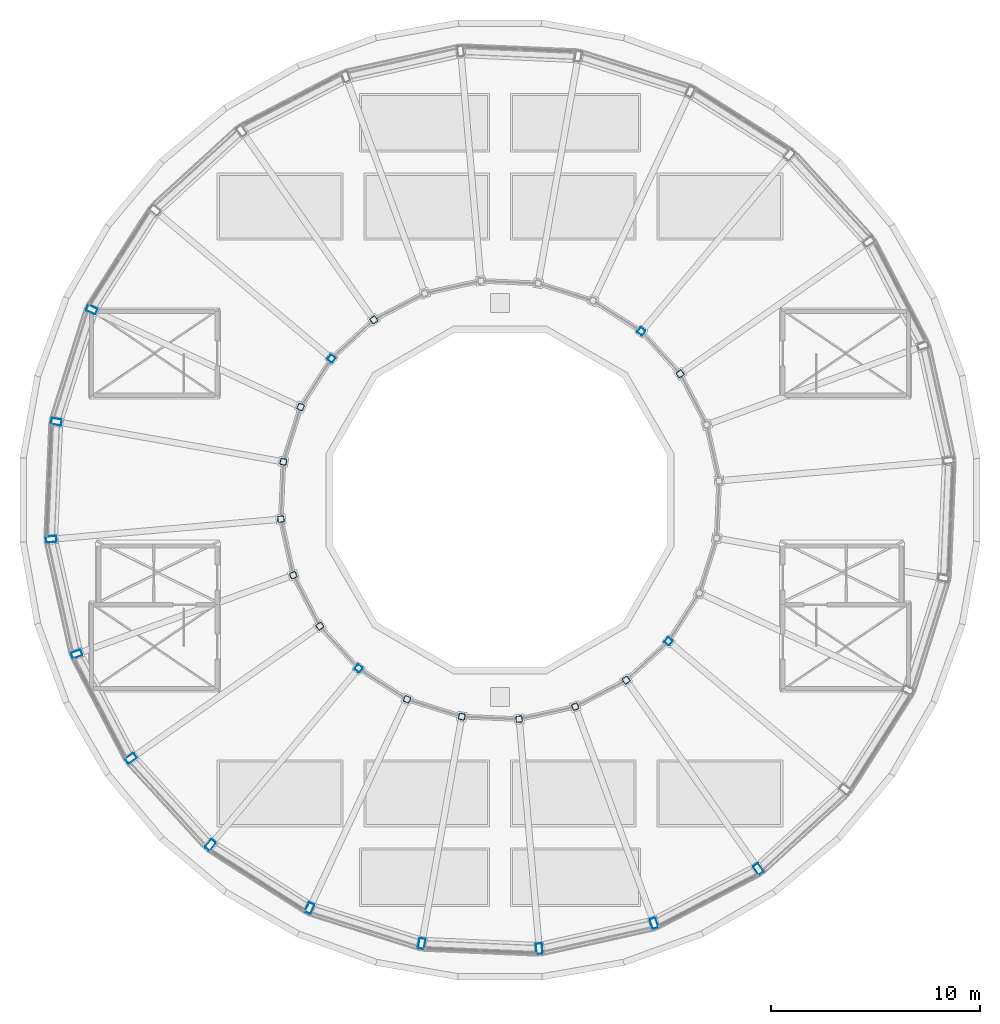
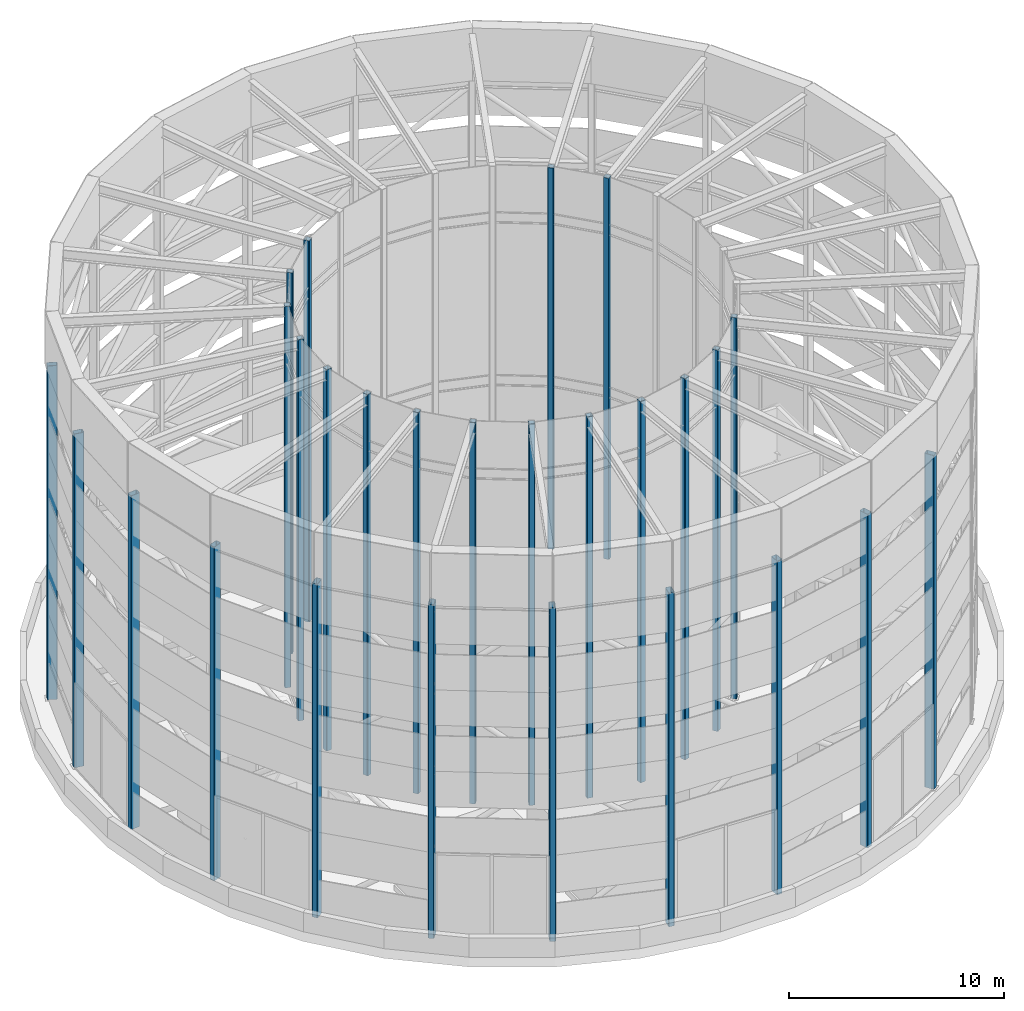
# One storey, part 1 of 20: 27 columns.
"""IFC4 building model written with IfcOpenShell, lengths in metres."""

import ifcopenshell
import ifcopenshell.guid

model = None  # the IFC model being written
_history = None  # IfcOwnerHistory: only IFC2X3 demands one
_inside = {}  # id of a spatial element -> (the spatial element, [elements in it])
_under = {}  # id of a project, library or spatial element -> (it, [spatial elements below it])
_declared = {}  # id of a project -> (the project, [libraries it declares])
_typed = {}  # id of a type object -> (the type object, [elements of that type])
_made_of = {}  # id of a material, layer set ... -> (it, [elements and type objects made of it])


def new_model(schema):
    """Start an empty IFC model of exactly this schema.

    Asked for "IFC4X3", IfcOpenShell would pick the latest addendum, in which some entities
    have other attributes; the version numbers below select the first issue.
    IFC2X3 requires an IfcOwnerHistory on every rooted entity: one is made here for all.
    """
    global model, _history
    if schema == "IFC4X3":
        model = ifcopenshell.file(schema_version=(4, 3, 0, 0))
    else:
        model = ifcopenshell.file(schema=schema)
    _inside.clear()
    _under.clear()
    _declared.clear()
    _typed.clear()
    _made_of.clear()
    _history = None
    if model.schema == "IFC2X3":
        org = make("IfcOrganization", Name="unknown")
        user = make(
            "IfcPersonAndOrganization",
            ThePerson=make("IfcPerson", FamilyName="unknown"),
            TheOrganization=org,
        )
        app = make(
            "IfcApplication",
            ApplicationDeveloper=org,
            Version="unknown",
            ApplicationFullName="unknown",
            ApplicationIdentifier="unknown",
        )
        _history = make(
            "IfcOwnerHistory",
            OwningUser=user,
            OwningApplication=app,
            ChangeAction="ADDED",
            CreationDate=0,
        )
    return model


def make(cls, **values):
    """One entity of the class cls with the attributes given. An attribute that is None is left unset."""
    return model.create_entity(
        cls, **{name: value for name, value in values.items() if value is not None}
    )


def rooted(cls, **values):
    """An entity with a GlobalId (a new one), such as an element, a storey or a relation."""
    return make(cls, GlobalId=ifcopenshell.guid.new(), OwnerHistory=_history, **values)


def si_unit(unit_type, name, prefix=None):
    """IfcSIUnit, for example si_unit("LENGTHUNIT", "METRE", prefix="MILLI")."""
    return make("IfcSIUnit", UnitType=unit_type, Prefix=prefix, Name=name)


def assignment(units):
    """IfcUnitAssignment: the units of a project."""
    return None if units is None else make("IfcUnitAssignment", Units=units)


def point(xyz):
    """IfcCartesianPoint."""
    return None if xyz is None else make("IfcCartesianPoint", Coordinates=xyz)


def direction(xyz):
    """IfcDirection."""
    return None if xyz is None else make("IfcDirection", DirectionRatios=xyz)


def frame(location, z_axis=None, x_axis=None):
    """IfcAxis2Placement3D, a coordinate frame: its origin and axes. An axis left out is left unset."""
    return make(
        "IfcAxis2Placement3D",
        Location=point(location),
        Axis=direction(z_axis),
        RefDirection=direction(x_axis),
    )


def frame_2d(location, x_axis=None):
    """IfcAxis2Placement2D, a coordinate frame in the plane: its origin and x axis."""
    return make(
        "IfcAxis2Placement2D", Location=point(location), RefDirection=direction(x_axis)
    )


def origin():
    """The frame at (0, 0, 0) with its axes left unset."""
    return frame((0.0, 0.0, 0.0))


def origin_2d():
    """The frame at (0, 0) in the plane with its x axis left unset."""
    return frame_2d((0.0, 0.0))


def place(relative_to, where):
    """IfcLocalPlacement: puts the frame where relative to a parent placement (None: the world)."""
    return make(
        "IfcLocalPlacement", PlacementRelTo=relative_to, RelativePlacement=where
    )


def context(
    kind, dimensions, precision=None, world=None, true_north=None, identifier=None
):
    """IfcGeometricRepresentationContext, for example the 3D "Model" context."""
    return make(
        "IfcGeometricRepresentationContext",
        ContextIdentifier=identifier,
        ContextType=kind,
        CoordinateSpaceDimension=dimensions,
        Precision=precision,
        WorldCoordinateSystem=world,
        TrueNorth=true_north,
    )


def subcontext(parent, identifier, kind, view, scale=None):
    """IfcGeometricRepresentationSubContext, for example "Body" below "Model"."""
    return make(
        "IfcGeometricRepresentationSubContext",
        ContextIdentifier=identifier,
        ContextType=kind,
        ParentContext=parent,
        TargetScale=scale,
        TargetView=view,
    )


def project(units=None, contexts=None):
    """IfcProject with its units and contexts."""
    return rooted(
        "IfcProject",
        Name="project",
        RepresentationContexts=contexts,
        UnitsInContext=assignment(units),
    )


def spatial(cls, under=None, at=None, **own):
    """A site, building, storey or space (cls), placed at a placement, below another one or the project."""
    s = rooted(cls, ObjectPlacement=at, **own)
    if under is not None:
        _under.setdefault(under.id(), (under, []))[1].append(s)
    return s


def profile(cls, at=None, kind="AREA", **sizes):
    """A parametric profile (cls). Its sizes go by their IFC names, for example OverallWidth=200.0."""
    return make(cls, ProfileType=kind, Position=at, **sizes)


def hollow_rectangle(**sizes):
    """IfcRectangleHollowProfileDef."""
    return profile("IfcRectangleHollowProfileDef", **sizes)


def extrude(swept, where, along, depth):
    """IfcExtrudedAreaSolid: the profile swept, set in the frame where, extruded along a direction by depth."""
    return make(
        "IfcExtrudedAreaSolid",
        SweptArea=swept,
        Position=where,
        ExtrudedDirection=direction(along),
        Depth=depth,
    )


def shape(context_of_items, identifier, shape_type, items):
    """IfcShapeRepresentation: the items that make up one representation, for example the "Body"."""
    return make(
        "IfcShapeRepresentation",
        ContextOfItems=context_of_items,
        RepresentationIdentifier=identifier,
        RepresentationType=shape_type,
        Items=items,
    )


def material(Name=None, Category=None):
    """IfcMaterial."""
    return make("IfcMaterial", Name=Name, Category=Category)


def material_profile(
    of_material, cross_section, Name=None, Category=None, Priority=None
):
    """IfcMaterialProfile: a cross section and its material."""
    return make(
        "IfcMaterialProfile",
        Name=Name,
        Material=of_material,
        Profile=cross_section,
        Priority=Priority,
        Category=Category,
    )


def profile_set(profiles, Name=None, composite=None):
    """IfcMaterialProfileSet."""
    return make(
        "IfcMaterialProfileSet",
        Name=Name,
        MaterialProfiles=profiles,
        CompositeProfile=composite,
    )


def made_of(thing, what):
    """Note that an element or type object is made of a material, layer set ...; save() writes the relation."""
    if what is not None:
        _made_of.setdefault(what.id(), (what, []))[1].append(thing)
    return thing


def type_object(cls, material=None, **own):
    """A type object (cls), such as IfcWallType, which elements share."""
    return made_of(rooted(cls, **own), material)


def element(
    cls,
    number,
    at=None,
    inside=None,
    cuts=None,
    type_object=None,
    material=None,
    context=None,
    identifier="Body",
    shape_type=None,
    held_by="IfcProductDefinitionShape",
    body=None,
    shapes=None,
    **own,
):
    """One element of the class cls, such as IfcWall. Its Tag is "e" and its number.

    at: its placement. inside: the storey or other place that contains it. cuts: it is an
    opening in that element (IfcRelVoidsElement). A single representation is given by context,
    identifier, shape_type and body (its items); several are given by shapes. held_by: the class
    of the entity that holds the representations. save() writes the other relations.
    """
    e = rooted(cls, Tag="e%d" % number, ObjectPlacement=at, **own)
    if body is not None:
        shapes = [shape(context, identifier, shape_type, body)]
    if shapes is not None:
        e.Representation = make(held_by, Representations=shapes)
    if inside is not None:
        _inside.setdefault(inside.id(), (inside, []))[1].append(e)
    if cuts is not None:
        rooted(
            "IfcRelVoidsElement", RelatingBuildingElement=cuts, RelatedOpeningElement=e
        )
    if type_object is not None:
        _typed.setdefault(type_object.id(), (type_object, []))[1].append(e)
    return made_of(e, material)


def aggregate(whole, parts):
    """IfcRelAggregates: a whole, such as a stair, and the parts it consists of."""
    return rooted("IfcRelAggregates", RelatingObject=whole, RelatedObjects=parts)


def save(model, path):
    """Write the relations noted so far, then the file.

    IfcRelAggregates (storeys below a building ...), IfcRelContainedInSpatialStructure (elements
    in a storey), IfcRelDefinesByType, IfcRelAssociatesMaterial and IfcRelDeclares: one each for
    every whole, place, type object, material and project.
    """
    for whole, parts in _under.values():
        aggregate(whole, parts)
    for where, things in _inside.values():
        rooted(
            "IfcRelContainedInSpatialStructure",
            RelatedElements=things,
            RelatingStructure=where,
        )
    for kind, things in _typed.values():
        rooted("IfcRelDefinesByType", RelatedObjects=things, RelatingType=kind)
    for what, things in _made_of.values():
        rooted("IfcRelAssociatesMaterial", RelatedObjects=things, RelatingMaterial=what)
    for by, libraries in _declared.values():
        rooted("IfcRelDeclares", RelatingContext=by, RelatedDefinitions=libraries)
    model.write(path)


model = new_model("IFC4")

# Units and contexts
model_context = context("Model", 3, precision=1e-05, world=origin(), true_north=direction((0.0, 1.0)))
body_context = subcontext(model_context, "Body", "Model", "MODEL_VIEW")
ifc_project = project(units=[si_unit("LENGTHUNIT", "METRE"), si_unit("AREAUNIT", "SQUARE_METRE"), si_unit("VOLUMEUNIT", "CUBIC_METRE"), si_unit("PLANEANGLEUNIT", "RADIAN"), si_unit("MASSUNIT", "GRAM", prefix="KILO")], contexts=[model_context])

# Site, building, storey
site_placement = place(None, origin())
site = spatial("IfcSite", under=ifc_project, at=site_placement, CompositionType="ELEMENT")
building_placement = place(site_placement, origin())
building = spatial("IfcBuilding", under=site, at=building_placement, Name="Saqina Gate Tower", CompositionType="ELEMENT")
storey_placement = place(building_placement, frame((0.0, 0.0, 284.199951171875)))
storey = spatial("IfcBuildingStorey", under=building, at=storey_placement, Name="RF", CompositionType="ELEMENT", Elevation=284.199951171875)

# Columns
ifc_material_1 = material(Name="Steel S460", Category="steel")
ifc_material_profile_1 = material_profile(ifc_material_1, hollow_rectangle(XDim=0.300048828125, YDim=0.300048828125, WallThickness=0.01611328125, InnerFilletRadius=0.031982421875, OuterFilletRadius=0.048095703125, at=origin_2d()), Name="SHS 300x300x16")
ifc_profile_set_1 = profile_set([ifc_material_profile_1], Name="Steel S460")
column_type_1 = type_object("IfcColumnType", Name="STR-CROWN FRAME COLUMN INNER-SHS 300x300x16", PredefinedType="COLUMN", material=ifc_profile_set_1)
for number, where, z_axis, x_axis, name in (
    (1, (8.60107421875, 6.0224609375, 0.025146484375), (0.0, 0.0, 1.0), (0.819152044289, 0.573576436351, 0.0), "CROWN FRAME COLUMN INNER 03"),
    (2, (6.749267578125, 8.04345703125, 0.025146484375), (0.0, 0.0, 1.0), (0.642787609687, 0.766044443119, 0.0), "CROWN FRAME COLUMN INNER 04"),
    (3, (-6.0224609375, 8.60107421875, 0.025146484375), (0.0, 0.0, 1.0), (-0.573576436351, 0.819152044289, 0.0), "CROWN FRAME COLUMN INNER 09"),
    (4, (-8.04345703125, 6.749267578125, 0.025146484375), (0.0, 0.0, 1.0), (-0.766044443119, 0.642787609687, 0.0), "CROWN FRAME COLUMN INNER 10"),
    (5, (-9.51611328125, 4.4375, 0.025146484375), (0.0, 0.0, 1.0), (-0.906307787037, 0.422618261741, 0.0), "CROWN FRAME COLUMN INNER 11"),
    (6, (-10.340576171875, 1.8232421875, 0.025146484375), (0.0, 0.0, 1.0), (-0.984807753012, 0.173648177667, 0.0), "CROWN FRAME COLUMN INNER 12"),
    (7, (-10.4599609375, -0.9150390625, 0.025146484375), (0.0, 0.0, 1.0), (-0.996194698092, -0.087155742748, 0.0), "CROWN FRAME COLUMN INNER 13"),
    (8, (-9.86669921875, -3.59130859375, 0.025146484375), (0.0, 0.0, 1.0), (-0.939692620786, -0.342020143326, 0.0), "CROWN FRAME COLUMN INNER 14"),
    (9, (-8.60107421875, -6.0224609375, 0.025146484375), (0.0, 0.0, 1.0), (-0.819152044289, -0.573576436351, 0.0), "CROWN FRAME COLUMN INNER 15"),
    (10, (-6.749267578125, -8.04345703125, 0.025146484375), (0.0, 0.0, 1.0), (-0.642787609687, -0.766044443119, 0.0), "CROWN FRAME COLUMN INNER 16"),
    (11, (-4.4375, -9.51611328125, 0.025146484375), (0.0, 0.0, 1.0), (-0.422618261741, -0.906307787037, 0.0), "CROWN FRAME COLUMN INNER 17"),
    (12, (-1.8232421875, -10.340576171875, 0.025146484375), (0.0, 0.0, 1.0), (-0.173648177667, -0.984807753012, 0.0), "CROWN FRAME COLUMN INNER 18"),
    (13, (0.9150390625, -10.4599609375, 0.025146484375), (0.0, 0.0, 1.0), (0.087155742748, -0.996194698092, 0.0), "CROWN FRAME COLUMN INNER 19"),
    (14, (3.59130859375, -9.86669921875, 0.025146484375), (0.0, 0.0, 1.0), (0.342020143326, -0.939692620786, 0.0), "CROWN FRAME COLUMN INNER 20"),
    (15, (6.0224609375, -8.60107421875, 0.025146484375), (0.0, 0.0, 1.0), (0.573576436351, -0.819152044289, 0.0), "CROWN FRAME COLUMN INNER 21"),
    (16, (8.04345703125, -6.749267578125, 0.025146484375), (0.0, 0.0, 1.0), (0.766044443119, -0.642787609687, 0.0), "CROWN FRAME COLUMN INNER 22"),
):
    element("IfcColumn", number, at=place(storey_placement, frame(where, z_axis=z_axis, x_axis=x_axis)), inside=storey, type_object=column_type_1, Name=name, PredefinedType="COLUMN", context=body_context, shape_type="SweptSolid", body=[
        extrude(hollow_rectangle(XDim=0.300048828125, YDim=0.300048828125, WallThickness=0.01611328125, InnerFilletRadius=0.031982421875, OuterFilletRadius=0.048095703125, at=origin_2d()), origin(), (0.0, 0.0, 1.0), 21.6748046875),
    ])
ifc_material_2 = material(Name="Steel S460", Category="steel")
ifc_material_profile_2 = material_profile(ifc_material_2, hollow_rectangle(XDim=0.300048828125, YDim=0.5, WallThickness=0.01611328125, InnerFilletRadius=0.031982421875, OuterFilletRadius=0.048095703125, at=origin_2d()), Name="RHS 500x300x16")
ifc_profile_set_2 = profile_set([ifc_material_profile_2], Name="Steel S460")
column_type_2 = type_object("IfcColumnType", Name="STR-CROWN FRAME COLUMN OUTER-RHS 500x300x16", PredefinedType="COLUMN", material=ifc_profile_set_2)
for number, where, z_axis, x_axis, name in (
    (17, (-19.485595703125, 9.086181640625, 0.025146484375), (0.0, 0.0, 1.0), (-0.422618261741, -0.906307787037, 0.0), "CROWN FRAME COLUMN 11"),
    (18, (-21.17333984375, 3.7333984375, 0.025146484375), (0.0, 0.0, 1.0), (-0.173648177667, -0.984807753012, 0.0), "CROWN FRAME COLUMN 12"),
    (19, (-21.418212890625, -1.873779296875, 0.025146484375), (0.0, 0.0, 1.0), (0.087155742748, -0.996194698092, 0.0), "CROWN FRAME COLUMN 13"),
    (20, (-20.203369140625, -7.353515625, 0.025146484375), (0.0, 0.0, 1.0), (0.342020143326, -0.939692620786, 0.0), "CROWN FRAME COLUMN 14"),
    (21, (-17.61181640625, -12.331787109375, 0.025146484375), (0.0, 0.0, 1.0), (0.573576436351, -0.819152044289, 0.0), "CROWN FRAME COLUMN 15"),
    (22, (-13.81982421875, -16.469970703125, 0.025146484375), (0.0, 0.0, 1.0), (0.766044443119, -0.642787609687, 0.0), "CROWN FRAME COLUMN 16"),
    (23, (-9.086181640625, -19.485595703125, 0.025146484375), (0.0, 0.0, 1.0), (0.906307787037, -0.422618261741, 0.0), "CROWN FRAME COLUMN 17"),
    (24, (-3.7333984375, -21.17333984375, 0.025146484375), (0.0, 0.0, 1.0), (0.984807753012, -0.173648177667, 0.0), "CROWN FRAME COLUMN 18"),
    (25, (1.873779296875, -21.418212890625, 0.025146484375), (0.0, 0.0, 1.0), (0.996194698092, 0.087155742748, 0.0), "CROWN FRAME COLUMN 19"),
    (26, (7.353515625, -20.203369140625, 0.025146484375), (0.0, 0.0, 1.0), (0.939692620786, 0.342020143326, 0.0), "CROWN FRAME COLUMN 20"),
    (27, (12.331787109375, -17.61181640625, 0.025146484375), (0.0, 0.0, 1.0), (0.819152044289, 0.573576436351, 0.0), "CROWN FRAME COLUMN 21"),
):
    element("IfcColumn", number, at=place(storey_placement, frame(where, z_axis=z_axis, x_axis=x_axis)), inside=storey, type_object=column_type_2, Name=name, PredefinedType="COLUMN", context=body_context, shape_type="SweptSolid", body=[
        extrude(hollow_rectangle(XDim=0.300048828125, YDim=0.5, WallThickness=0.01611328125, InnerFilletRadius=0.031982421875, OuterFilletRadius=0.048095703125, at=origin_2d()), origin(), (0.0, 0.0, 1.0), 18.974853515625),
    ])

save(model, "model.ifc")
